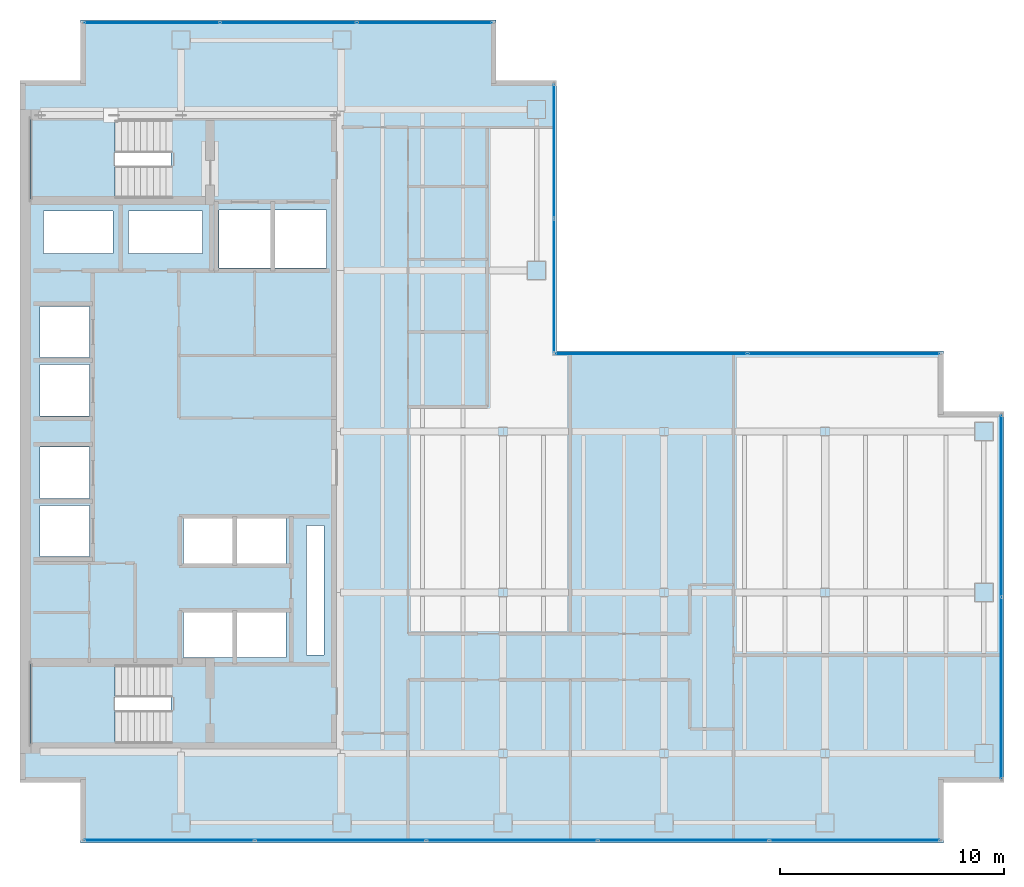
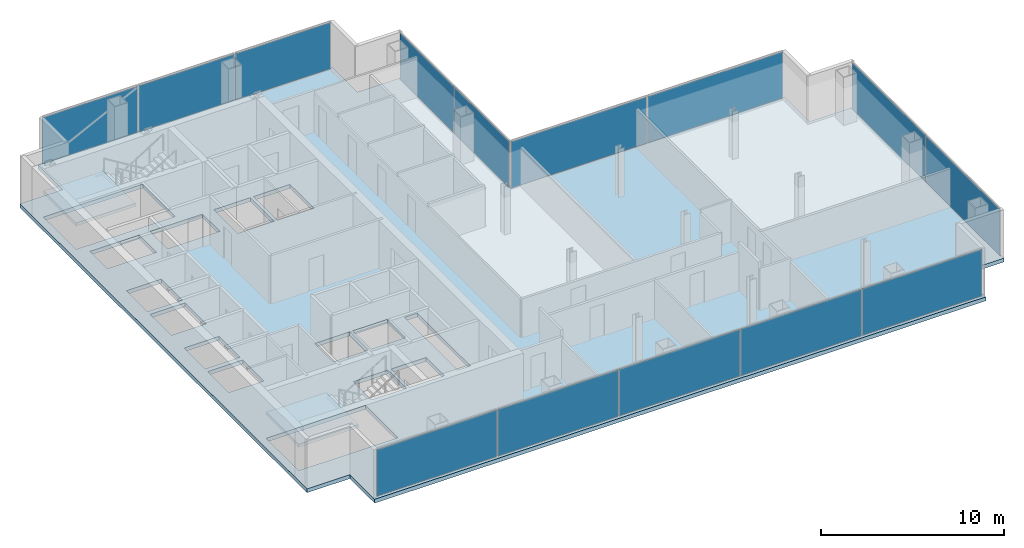
# One storey, part 19 of 23: 14 plates, 3 slabs, 15 openings, 7 elements without a shape of their own.
"""IFC4 building model written with IfcOpenShell, lengths in metres."""

import ifcopenshell
import ifcopenshell.guid

model = None  # the IFC model being written
_history = None  # IfcOwnerHistory: only IFC2X3 demands one
_inside = {}  # id of a spatial element -> (the spatial element, [elements in it])
_under = {}  # id of a project, library or spatial element -> (it, [spatial elements below it])
_declared = {}  # id of a project -> (the project, [libraries it declares])
_typed = {}  # id of a type object -> (the type object, [elements of that type])
_made_of = {}  # id of a material, layer set ... -> (it, [elements and type objects made of it])


def new_model(schema):
    """Start an empty IFC model of exactly this schema.

    Asked for "IFC4X3", IfcOpenShell would pick the latest addendum, in which some entities
    have other attributes; the version numbers below select the first issue.
    IFC2X3 requires an IfcOwnerHistory on every rooted entity: one is made here for all.
    """
    global model, _history
    if schema == "IFC4X3":
        model = ifcopenshell.file(schema_version=(4, 3, 0, 0))
    else:
        model = ifcopenshell.file(schema=schema)
    _inside.clear()
    _under.clear()
    _declared.clear()
    _typed.clear()
    _made_of.clear()
    _history = None
    if model.schema == "IFC2X3":
        org = make("IfcOrganization", Name="unknown")
        user = make(
            "IfcPersonAndOrganization",
            ThePerson=make("IfcPerson", FamilyName="unknown"),
            TheOrganization=org,
        )
        app = make(
            "IfcApplication",
            ApplicationDeveloper=org,
            Version="unknown",
            ApplicationFullName="unknown",
            ApplicationIdentifier="unknown",
        )
        _history = make(
            "IfcOwnerHistory",
            OwningUser=user,
            OwningApplication=app,
            ChangeAction="ADDED",
            CreationDate=0,
        )
    return model


def make(cls, **values):
    """One entity of the class cls with the attributes given. An attribute that is None is left unset."""
    return model.create_entity(
        cls, **{name: value for name, value in values.items() if value is not None}
    )


def rooted(cls, **values):
    """An entity with a GlobalId (a new one), such as an element, a storey or a relation."""
    return make(cls, GlobalId=ifcopenshell.guid.new(), OwnerHistory=_history, **values)


def si_unit(unit_type, name, prefix=None):
    """IfcSIUnit, for example si_unit("LENGTHUNIT", "METRE", prefix="MILLI")."""
    return make("IfcSIUnit", UnitType=unit_type, Prefix=prefix, Name=name)


def assignment(units):
    """IfcUnitAssignment: the units of a project."""
    return None if units is None else make("IfcUnitAssignment", Units=units)


def point(xyz):
    """IfcCartesianPoint."""
    return None if xyz is None else make("IfcCartesianPoint", Coordinates=xyz)


def direction(xyz):
    """IfcDirection."""
    return None if xyz is None else make("IfcDirection", DirectionRatios=xyz)


def frame(location, z_axis=None, x_axis=None):
    """IfcAxis2Placement3D, a coordinate frame: its origin and axes. An axis left out is left unset."""
    return make(
        "IfcAxis2Placement3D",
        Location=point(location),
        Axis=direction(z_axis),
        RefDirection=direction(x_axis),
    )


def frame_2d(location, x_axis=None):
    """IfcAxis2Placement2D, a coordinate frame in the plane: its origin and x axis."""
    return make(
        "IfcAxis2Placement2D", Location=point(location), RefDirection=direction(x_axis)
    )


def origin():
    """The frame at (0, 0, 0) with its axes left unset."""
    return frame((0.0, 0.0, 0.0))


def origin_2d():
    """The frame at (0, 0) in the plane with its x axis left unset."""
    return frame_2d((0.0, 0.0))


def place(relative_to, where):
    """IfcLocalPlacement: puts the frame where relative to a parent placement (None: the world)."""
    return make(
        "IfcLocalPlacement", PlacementRelTo=relative_to, RelativePlacement=where
    )


def context(
    kind, dimensions, precision=None, world=None, true_north=None, identifier=None
):
    """IfcGeometricRepresentationContext, for example the 3D "Model" context."""
    return make(
        "IfcGeometricRepresentationContext",
        ContextIdentifier=identifier,
        ContextType=kind,
        CoordinateSpaceDimension=dimensions,
        Precision=precision,
        WorldCoordinateSystem=world,
        TrueNorth=true_north,
    )


def subcontext(parent, identifier, kind, view, scale=None):
    """IfcGeometricRepresentationSubContext, for example "Body" below "Model"."""
    return make(
        "IfcGeometricRepresentationSubContext",
        ContextIdentifier=identifier,
        ContextType=kind,
        ParentContext=parent,
        TargetScale=scale,
        TargetView=view,
    )


def project(units=None, contexts=None):
    """IfcProject with its units and contexts."""
    return rooted(
        "IfcProject",
        Name="project",
        RepresentationContexts=contexts,
        UnitsInContext=assignment(units),
    )


def spatial(cls, under=None, at=None, **own):
    """A site, building, storey or space (cls), placed at a placement, below another one or the project."""
    s = rooted(cls, ObjectPlacement=at, **own)
    if under is not None:
        _under.setdefault(under.id(), (under, []))[1].append(s)
    return s


def polyline(points):
    """IfcPolyline through the points."""
    return make("IfcPolyline", Points=[point(p) for p in points])


def profile(cls, at=None, kind="AREA", **sizes):
    """A parametric profile (cls). Its sizes go by their IFC names, for example OverallWidth=200.0."""
    return make(cls, ProfileType=kind, Position=at, **sizes)


def rectangle(**sizes):
    """IfcRectangleProfileDef."""
    return profile("IfcRectangleProfileDef", **sizes)


def outline(outer, holes=None, kind="AREA"):
    """IfcArbitraryClosedProfileDef: a profile drawn as a closed curve; with holes, ...WithVoids."""
    if holes is None:
        return make("IfcArbitraryClosedProfileDef", ProfileType=kind, OuterCurve=outer)
    return make(
        "IfcArbitraryProfileDefWithVoids",
        ProfileType=kind,
        OuterCurve=outer,
        InnerCurves=holes,
    )


def extrude(swept, where, along, depth):
    """IfcExtrudedAreaSolid: the profile swept, set in the frame where, extruded along a direction by depth."""
    return make(
        "IfcExtrudedAreaSolid",
        SweptArea=swept,
        Position=where,
        ExtrudedDirection=direction(along),
        Depth=depth,
    )


def shape(context_of_items, identifier, shape_type, items):
    """IfcShapeRepresentation: the items that make up one representation, for example the "Body"."""
    return make(
        "IfcShapeRepresentation",
        ContextOfItems=context_of_items,
        RepresentationIdentifier=identifier,
        RepresentationType=shape_type,
        Items=items,
    )


def material(Name=None, Category=None):
    """IfcMaterial."""
    return make("IfcMaterial", Name=Name, Category=Category)


def layer(
    of_material, thickness, ventilated=None, Name=None, Category=None, Priority=None
):
    """IfcMaterialLayer: one layer of a wall or slab, of a material (None: an air gap)."""
    return make(
        "IfcMaterialLayer",
        Material=of_material,
        LayerThickness=thickness,
        IsVentilated=ventilated,
        Name=Name,
        Category=Category,
        Priority=Priority,
    )


def layer_set(layers, Name=None):
    """IfcMaterialLayerSet."""
    return make("IfcMaterialLayerSet", MaterialLayers=layers, LayerSetName=Name)


def made_of(thing, what):
    """Note that an element or type object is made of a material, layer set ...; save() writes the relation."""
    if what is not None:
        _made_of.setdefault(what.id(), (what, []))[1].append(thing)
    return thing


def type_object(cls, material=None, **own):
    """A type object (cls), such as IfcWallType, which elements share."""
    return made_of(rooted(cls, **own), material)


def element(
    cls,
    number,
    at=None,
    inside=None,
    cuts=None,
    type_object=None,
    material=None,
    context=None,
    identifier="Body",
    shape_type=None,
    held_by="IfcProductDefinitionShape",
    body=None,
    shapes=None,
    **own,
):
    """One element of the class cls, such as IfcWall. Its Tag is "e" and its number.

    at: its placement. inside: the storey or other place that contains it. cuts: it is an
    opening in that element (IfcRelVoidsElement). A single representation is given by context,
    identifier, shape_type and body (its items); several are given by shapes. held_by: the class
    of the entity that holds the representations. save() writes the other relations.
    """
    e = rooted(cls, Tag="e%d" % number, ObjectPlacement=at, **own)
    if body is not None:
        shapes = [shape(context, identifier, shape_type, body)]
    if shapes is not None:
        e.Representation = make(held_by, Representations=shapes)
    if inside is not None:
        _inside.setdefault(inside.id(), (inside, []))[1].append(e)
    if cuts is not None:
        rooted(
            "IfcRelVoidsElement", RelatingBuildingElement=cuts, RelatedOpeningElement=e
        )
    if type_object is not None:
        _typed.setdefault(type_object.id(), (type_object, []))[1].append(e)
    return made_of(e, material)


def aggregate(whole, parts):
    """IfcRelAggregates: a whole, such as a stair, and the parts it consists of."""
    return rooted("IfcRelAggregates", RelatingObject=whole, RelatedObjects=parts)


def save(model, path):
    """Write the relations noted so far, then the file.

    IfcRelAggregates (storeys below a building ...), IfcRelContainedInSpatialStructure (elements
    in a storey), IfcRelDefinesByType, IfcRelAssociatesMaterial and IfcRelDeclares: one each for
    every whole, place, type object, material and project.
    """
    for whole, parts in _under.values():
        aggregate(whole, parts)
    for where, things in _inside.values():
        rooted(
            "IfcRelContainedInSpatialStructure",
            RelatedElements=things,
            RelatingStructure=where,
        )
    for kind, things in _typed.values():
        rooted("IfcRelDefinesByType", RelatedObjects=things, RelatingType=kind)
    for what, things in _made_of.values():
        rooted("IfcRelAssociatesMaterial", RelatedObjects=things, RelatingMaterial=what)
    for by, libraries in _declared.values():
        rooted("IfcRelDeclares", RelatingContext=by, RelatedDefinitions=libraries)
    model.write(path)


model = new_model("IFC4")

# Units and contexts
model_context = context("Model", 3, precision=1e-05, world=origin(), true_north=direction((0.0, 1.0)))
body_context = subcontext(model_context, "Body", "Model", "MODEL_VIEW")
ifc_project = project(units=[si_unit("LENGTHUNIT", "METRE"), si_unit("AREAUNIT", "SQUARE_METRE"), si_unit("VOLUMEUNIT", "CUBIC_METRE"), si_unit("PLANEANGLEUNIT", "RADIAN"), si_unit("MASSUNIT", "GRAM", prefix="KILO")], contexts=[model_context])

# Site, building, storey
site_placement = place(None, origin())
site = spatial("IfcSite", under=ifc_project, at=site_placement, CompositionType="ELEMENT")
building_placement = place(site_placement, origin())
building = spatial("IfcBuilding", under=site, at=building_placement, Name="Cobrela Telecom Tower", CompositionType="ELEMENT")
storey_placement = place(building_placement, frame((0.0, 0.0, 173.25)))
storey = spatial("IfcBuildingStorey", under=building, at=storey_placement, Name="L43", CompositionType="ELEMENT", Elevation=173.25)

# Curtain wall, plates
ifc_material_1 = material(Name="Anodized Bronze Aluminium 6063-T6", Category="aluminium")
curtain_wall_type = type_object("IfcCurtainWallType", Name="CW-SYS-OFF-LO", PredefinedType="USERDEFINED", material=ifc_material_1)
curtain_wall_1_placement = place(storey_placement, origin())
curtain_wall_1 = element("IfcCurtainWall", 1, at=curtain_wall_1_placement, inside=storey, type_object=curtain_wall_type, Name="L43 Unitised Bronze Curtain Wall 07", ObjectType="UNITISED CURTAIN WALL", PredefinedType="USERDEFINED")
ifc_material_2 = material(Name="Solar-Control Bronze Low-E Glass", Category="glass")
ifc_layer_1 = layer(ifc_material_2, 0.031982421875)
ifc_layer_set_1 = layer_set([ifc_layer_1], Name="Solar-Control Bronze Low-E Glass")
plate_type = type_object("IfcPlateType", Name="CW-SYS-OFF-LO-PNL", PredefinedType="CURTAIN_PANEL", material=ifc_layer_set_1)
plate_1_placement = place(storey_placement, frame((5.904052734375, 39.8798828125, 0.070068359375), z_axis=(0.0, 0.0, 1.0), x_axis=(1.0, 0.0, 0.0)))
plate_1 = element("IfcPlate", 2, at=plate_1_placement, type_object=plate_type, Name="CW-OFF-LO panel 1.1", PredefinedType="CURTAIN_PANEL", context=body_context, shape_type="SweptSolid", body=[
    extrude(rectangle(XDim=6.00830078125, YDim=0.031982421875, at=origin_2d()), origin(), (0.0, 0.0, 1.0), 3.10009765625),
])
plate_2_placement = place(storey_placement, frame((12.0, 39.8798828125, 0.070068359375), z_axis=(0.0, 0.0, 1.0), x_axis=(1.0, 0.0, 0.0)))
plate_2 = element("IfcPlate", 3, at=plate_2_placement, type_object=plate_type, Name="CW-OFF-LO panel 2.1", PredefinedType="CURTAIN_PANEL", context=body_context, shape_type="SweptSolid", body=[
    extrude(rectangle(XDim=6.043212890625, YDim=0.031982421875, at=origin_2d()), origin(), (0.0, 0.0, 1.0), 3.10009765625),
])
plate_3_placement = place(storey_placement, frame((18.095947265625, 39.8798828125, 0.070068359375), z_axis=(0.0, 0.0, 1.0), x_axis=(1.0, 0.0, 0.0)))
plate_3 = element("IfcPlate", 4, at=plate_3_placement, type_object=plate_type, Name="CW-OFF-LO panel 3.1", PredefinedType="CURTAIN_PANEL", context=body_context, shape_type="SweptSolid", body=[
    extrude(rectangle(XDim=6.00830078125, YDim=0.031982421875, at=origin_2d()), origin(), (0.0, 0.0, 1.0), 3.10009765625),
])
aggregate(curtain_wall_1, [plate_1, plate_2, plate_3])

curtain_wall_2_placement = place(storey_placement, origin())
curtain_wall_2 = element("IfcCurtainWall", 5, at=curtain_wall_2_placement, inside=storey, type_object=curtain_wall_type, Name="L43 Unitised Bronze Curtain Wall 10", ObjectType="UNITISED CURTAIN WALL", PredefinedType="USERDEFINED")
plate_4_placement = place(storey_placement, frame((23.8798828125, 34.1298828125, 0.070068359375), z_axis=(0.0, 0.0, 1.0), x_axis=(0.0, -1.0, 0.0)))
plate_4 = element("IfcPlate", 6, at=plate_4_placement, type_object=plate_type, Name="CW-OFF-LO panel 1.1", PredefinedType="CURTAIN_PANEL", context=body_context, shape_type="SweptSolid", body=[
    extrude(rectangle(XDim=5.93994140625, YDim=0.031982421875, at=origin_2d()), origin(), (0.0, 0.0, 1.0), 3.10009765625),
])
plate_5_placement = place(storey_placement, frame((23.8798828125, 28.1201171875, 0.070068359375), z_axis=(0.0, 0.0, 1.0), x_axis=(0.0, -1.0, 0.0)))
plate_5 = element("IfcPlate", 7, at=plate_5_placement, type_object=plate_type, Name="CW-OFF-LO panel 2.1", PredefinedType="CURTAIN_PANEL", context=body_context, shape_type="SweptSolid", body=[
    extrude(rectangle(XDim=5.93994140625, YDim=0.031982421875, at=origin_2d()), origin(), (0.0, 0.0, 1.0), 3.10009765625),
])
aggregate(curtain_wall_2, [plate_4, plate_5])

curtain_wall_3_placement = place(storey_placement, origin())
curtain_wall_3 = element("IfcCurtainWall", 8, at=curtain_wall_3_placement, inside=storey, type_object=curtain_wall_type, Name="L43 Unitised Bronze Curtain Wall 11", ObjectType="UNITISED CURTAIN WALL", PredefinedType="USERDEFINED")
plate_6_placement = place(storey_placement, frame((28.219970703125, 25.080078125, 0.070068359375), z_axis=(0.0, 0.0, 1.0), x_axis=(1.0, 0.0, 0.0)))
plate_6 = element("IfcPlate", 9, at=plate_6_placement, type_object=plate_type, Name="CW-OFF-LO panel 1.1", PredefinedType="CURTAIN_PANEL", context=body_context, shape_type="SweptSolid", body=[
    extrude(rectangle(XDim=8.5400390625, YDim=0.031982421875, at=origin_2d()), origin(), (0.0, 0.0, 1.0), 3.10009765625),
])
plate_7_placement = place(storey_placement, frame((36.830078125, 25.080078125, 0.070068359375), z_axis=(0.0, 0.0, 1.0), x_axis=(1.0, 0.0, 0.0)))
plate_7 = element("IfcPlate", 10, at=plate_7_placement, type_object=plate_type, Name="CW-OFF-LO panel 2.1", PredefinedType="CURTAIN_PANEL", context=body_context, shape_type="SweptSolid", body=[
    extrude(rectangle(XDim=8.5400390625, YDim=0.031982421875, at=origin_2d()), origin(), (0.0, 0.0, 1.0), 3.10009765625),
])
aggregate(curtain_wall_3, [plate_6, plate_7])

curtain_wall_4_placement = place(storey_placement, origin())
curtain_wall_4 = element("IfcCurtainWall", 11, at=curtain_wall_4_placement, inside=storey, type_object=curtain_wall_type, Name="L43 Unitised Bronze Curtain Wall 14", ObjectType="UNITISED CURTAIN WALL", PredefinedType="USERDEFINED")
plate_8_placement = place(storey_placement, frame((43.8798828125, 18.267578125, 0.070068359375), z_axis=(0.0, 0.0, 1.0), x_axis=(0.0, -1.0, 0.0)))
plate_8 = element("IfcPlate", 12, at=plate_8_placement, type_object=plate_type, Name="CW-OFF-LO panel 1.1", PredefinedType="CURTAIN_PANEL", context=body_context, shape_type="SweptSolid", body=[
    extrude(rectangle(XDim=8.06494140625, YDim=0.031982421875, at=origin_2d()), origin(), (0.0, 0.0, 1.0), 3.10009765625),
])
plate_9_placement = place(storey_placement, frame((43.8798828125, 10.132568359375, 0.070068359375), z_axis=(0.0, 0.0, 1.0), x_axis=(0.0, -1.0, 0.0)))
plate_9 = element("IfcPlate", 13, at=plate_9_placement, type_object=plate_type, Name="CW-OFF-LO panel 2.1", PredefinedType="CURTAIN_PANEL", context=body_context, shape_type="SweptSolid", body=[
    extrude(rectangle(XDim=8.06494140625, YDim=0.031982421875, at=origin_2d()), origin(), (0.0, 0.0, 1.0), 3.10009765625),
])
aggregate(curtain_wall_4, [plate_8, plate_9])

curtain_wall_5_placement = place(storey_placement, origin())
curtain_wall_5 = element("IfcCurtainWall", 14, at=curtain_wall_5_placement, inside=storey, type_object=curtain_wall_type, Name="L43 Unitised Bronze Curtain Wall 17", ObjectType="UNITISED CURTAIN WALL", PredefinedType="USERDEFINED")
plate_10_placement = place(storey_placement, frame((37.318603515625, 3.320068359375, 0.070068359375), z_axis=(0.0, 0.0, 1.0), x_axis=(-1.0, 0.0, 0.0)))
plate_10 = element("IfcPlate", 15, at=plate_10_placement, type_object=plate_type, Name="CW-OFF-LO panel 1.1", PredefinedType="CURTAIN_PANEL", context=body_context, shape_type="SweptSolid", body=[
    extrude(rectangle(XDim=7.56298828125, YDim=0.031982421875, at=origin_2d()), origin(), (0.0, 0.0, 1.0), 3.10009765625),
])
plate_11_placement = place(storey_placement, frame((29.66796875, 3.320068359375, 0.070068359375), z_axis=(0.0, 0.0, 1.0), x_axis=(-1.0, 0.0, 0.0)))
plate_11 = element("IfcPlate", 16, at=plate_11_placement, type_object=plate_type, Name="CW-OFF-LO panel 2.1", PredefinedType="CURTAIN_PANEL", context=body_context, shape_type="SweptSolid", body=[
    extrude(rectangle(XDim=7.597900390625, YDim=0.031982421875, at=origin_2d()), origin(), (0.0, 0.0, 1.0), 3.10009765625),
])
plate_12_placement = place(storey_placement, frame((22.0, 3.320068359375, 0.070068359375), z_axis=(0.0, 0.0, 1.0), x_axis=(-1.0, 0.0, 0.0)))
plate_12 = element("IfcPlate", 17, at=plate_12_placement, type_object=plate_type, Name="CW-OFF-LO panel 3.1", PredefinedType="CURTAIN_PANEL", context=body_context, shape_type="SweptSolid", body=[
    extrude(rectangle(XDim=7.597900390625, YDim=0.031982421875, at=origin_2d()), origin(), (0.0, 0.0, 1.0), 3.10009765625),
])
plate_13_placement = place(storey_placement, frame((14.33203125, 3.320068359375, 0.070068359375), z_axis=(0.0, 0.0, 1.0), x_axis=(-1.0, 0.0, 0.0)))
plate_13 = element("IfcPlate", 18, at=plate_13_placement, type_object=plate_type, Name="CW-OFF-LO panel 4.1", PredefinedType="CURTAIN_PANEL", context=body_context, shape_type="SweptSolid", body=[
    extrude(rectangle(XDim=7.597900390625, YDim=0.031982421875, at=origin_2d()), origin(), (0.0, 0.0, 1.0), 3.10009765625),
])
plate_14_placement = place(storey_placement, frame((6.681396484375, 3.320068359375, 0.070068359375), z_axis=(0.0, 0.0, 1.0), x_axis=(-1.0, 0.0, 0.0)))
plate_14 = element("IfcPlate", 19, at=plate_14_placement, type_object=plate_type, Name="CW-OFF-LO panel 5.1", PredefinedType="CURTAIN_PANEL", context=body_context, shape_type="SweptSolid", body=[
    extrude(rectangle(XDim=7.56298828125, YDim=0.031982421875, at=origin_2d()), origin(), (0.0, 0.0, 1.0), 3.10009765625),
])
aggregate(curtain_wall_5, [plate_10, plate_11, plate_12, plate_13, plate_14])

# Slab, openings
ifc_material_3 = material(Name="Concrete C40/50", Category="concrete")
ifc_layer_2 = layer(ifc_material_3, 0.260009765625)
ifc_layer_set_2 = layer_set([ifc_layer_2], Name="Concrete C40/50")
slab_type_1 = type_object("IfcSlabType", Name="SLAB-FLR-260", PredefinedType="FLOOR", material=ifc_layer_set_2)
slab_1_placement = place(storey_placement, frame((0.0, 0.0, -0.260009765625)))
slab_1 = element("IfcSlab", 20, at=slab_1_placement, inside=storey, type_object=slab_type_1, Name="L43 Structural Floor Slab", PredefinedType="FLOOR", context=body_context, shape_type="SweptSolid", body=[
    extrude(outline(polyline([(2.7099609375, 3.199951171875), (41.2900390625, 3.199951171875), (41.2900390625, 5.909912109375), (44.0, 5.909912109375), (44.0, 22.489990234375), (41.2900390625, 22.489990234375), (41.2900390625, 25.199951171875), (24.0, 25.199951171875), (24.0, 37.2900390625), (21.2900390625, 37.2900390625), (21.2900390625, 40.0), (2.7099609375, 40.0), (2.7099609375, 37.2900390625), (0.0, 37.2900390625), (0.0, 5.909912109375), (2.7099609375, 5.909912109375), (2.7099609375, 3.199951171875)])), origin(), (0.0, 0.0, 1.0), 0.260009765625),
])
opening_1_placement = place(slab_1_placement, frame((0.0, 0.0, -0.02001953125)))
element("IfcOpeningElement", 21, at=opening_1_placement, cuts=slab_1, Name="Slab Shaft Opening SLAB-L43-MAIN.1", PredefinedType="OPENING", context=body_context, shape_type="SweptSolid", body=[
    extrude(outline(polyline([(8.89990234375, 28.89990234375), (11.199951171875, 28.89990234375), (11.199951171875, 31.5), (8.89990234375, 31.5), (8.89990234375, 28.89990234375)])), origin(), (0.0, 0.0, 1.0), 0.300048828125),
])
opening_2_placement = place(slab_1_placement, frame((0.0, 0.0, -0.02001953125)))
element("IfcOpeningElement", 22, at=opening_2_placement, cuts=slab_1, Name="Slab Shaft Opening SLAB-L43-MAIN.2", PredefinedType="OPENING", context=body_context, shape_type="SweptSolid", body=[
    extrude(outline(polyline([(11.39990234375, 28.89990234375), (13.699951171875, 28.89990234375), (13.699951171875, 31.5), (11.39990234375, 31.5), (11.39990234375, 28.89990234375)])), origin(), (0.0, 0.0, 1.0), 0.300048828125),
])
opening_3_placement = place(slab_1_placement, frame((0.0, 0.0, -0.02001953125)))
element("IfcOpeningElement", 23, at=opening_3_placement, cuts=slab_1, Name="Slab Shaft Opening SLAB-L43-MAIN.3", PredefinedType="OPENING", context=body_context, shape_type="SweptSolid", body=[
    extrude(outline(polyline([(7.300048828125, 15.699951171875), (9.5, 15.699951171875), (9.5, 17.699951171875), (7.300048828125, 17.699951171875), (7.300048828125, 15.699951171875)])), origin(), (0.0, 0.0, 1.0), 0.300048828125),
])
opening_4_placement = place(slab_1_placement, frame((0.0, 0.0, -0.02001953125)))
element("IfcOpeningElement", 24, at=opening_4_placement, cuts=slab_1, Name="Slab Shaft Opening SLAB-L43-MAIN.4", PredefinedType="OPENING", context=body_context, shape_type="SweptSolid", body=[
    extrude(outline(polyline([(9.699951171875, 15.699951171875), (11.89990234375, 15.699951171875), (11.89990234375, 17.699951171875), (9.699951171875, 17.699951171875), (9.699951171875, 15.699951171875)])), origin(), (0.0, 0.0, 1.0), 0.300048828125),
])
opening_5_placement = place(slab_1_placement, frame((0.0, 0.0, -0.02001953125)))
element("IfcOpeningElement", 25, at=opening_5_placement, cuts=slab_1, Name="Slab Shaft Opening SLAB-L43-MAIN.5", PredefinedType="OPENING", context=body_context, shape_type="SweptSolid", body=[
    extrude(outline(polyline([(7.300048828125, 11.5), (9.5, 11.5), (9.5, 13.5), (7.300048828125, 13.5), (7.300048828125, 11.5)])), origin(), (0.0, 0.0, 1.0), 0.300048828125),
])
opening_6_placement = place(slab_1_placement, frame((0.0, 0.0, -0.02001953125)))
element("IfcOpeningElement", 26, at=opening_6_placement, cuts=slab_1, Name="Slab Shaft Opening SLAB-L43-MAIN.6", PredefinedType="OPENING", context=body_context, shape_type="SweptSolid", body=[
    extrude(outline(polyline([(9.699951171875, 11.5), (11.89990234375, 11.5), (11.89990234375, 13.5), (9.699951171875, 13.5), (9.699951171875, 11.5)])), origin(), (0.0, 0.0, 1.0), 0.300048828125),
])
opening_7_placement = place(slab_1_placement, frame((0.0, 0.0, -0.02001953125)))
element("IfcOpeningElement", 27, at=opening_7_placement, cuts=slab_1, Name="Slab Shaft Opening SLAB-L43-MAIN.7", PredefinedType="OPENING", context=body_context, shape_type="SweptSolid", body=[
    extrude(outline(polyline([(0.89990234375, 16.0), (3.10009765625, 16.0), (3.10009765625, 18.300048828125), (0.89990234375, 18.300048828125), (0.89990234375, 16.0)])), origin(), (0.0, 0.0, 1.0), 0.300048828125),
])
opening_8_placement = place(slab_1_placement, frame((0.0, 0.0, -0.02001953125)))
element("IfcOpeningElement", 28, at=opening_8_placement, cuts=slab_1, Name="Slab Shaft Opening SLAB-L43-MAIN.8", PredefinedType="OPENING", context=body_context, shape_type="SweptSolid", body=[
    extrude(outline(polyline([(0.89990234375, 18.60009765625), (3.10009765625, 18.60009765625), (3.10009765625, 20.89990234375), (0.89990234375, 20.89990234375), (0.89990234375, 18.60009765625)])), origin(), (0.0, 0.0, 1.0), 0.300048828125),
])
opening_9_placement = place(slab_1_placement, frame((0.0, 0.0, -0.02001953125)))
element("IfcOpeningElement", 29, at=opening_9_placement, cuts=slab_1, Name="Slab Shaft Opening SLAB-L43-MAIN.9", PredefinedType="OPENING", context=body_context, shape_type="SweptSolid", body=[
    extrude(outline(polyline([(0.89990234375, 22.300048828125), (3.10009765625, 22.300048828125), (3.10009765625, 24.60009765625), (0.89990234375, 24.60009765625), (0.89990234375, 22.300048828125)])), origin(), (0.0, 0.0, 1.0), 0.300048828125),
])
opening_10_placement = place(slab_1_placement, frame((0.0, 0.0, -0.02001953125)))
element("IfcOpeningElement", 30, at=opening_10_placement, cuts=slab_1, Name="Slab Shaft Opening SLAB-L43-MAIN.10", PredefinedType="OPENING", context=body_context, shape_type="SweptSolid", body=[
    extrude(outline(polyline([(0.89990234375, 24.89990234375), (3.10009765625, 24.89990234375), (3.10009765625, 27.199951171875), (0.89990234375, 27.199951171875), (0.89990234375, 24.89990234375)])), origin(), (0.0, 0.0, 1.0), 0.300048828125),
])
opening_11_placement = place(slab_1_placement, frame((0.0, 0.0, -0.02001953125)))
element("IfcOpeningElement", 31, at=opening_11_placement, cuts=slab_1, Name="Slab Shaft Opening SLAB-L43-MAIN.11", PredefinedType="OPENING", context=body_context, shape_type="SweptSolid", body=[
    extrude(outline(polyline([(1.050048828125, 29.550048828125), (4.14990234375, 29.550048828125), (4.14990234375, 31.449951171875), (1.050048828125, 31.449951171875), (1.050048828125, 29.550048828125)])), origin(), (0.0, 0.0, 1.0), 0.300048828125),
])
opening_12_placement = place(slab_1_placement, frame((0.0, 0.0, -0.02001953125)))
element("IfcOpeningElement", 32, at=opening_12_placement, cuts=slab_1, Name="Slab Shaft Opening SLAB-L43-MAIN.12", PredefinedType="OPENING", context=body_context, shape_type="SweptSolid", body=[
    extrude(outline(polyline([(4.85009765625, 29.550048828125), (8.14990234375, 29.550048828125), (8.14990234375, 31.449951171875), (4.85009765625, 31.449951171875), (4.85009765625, 29.550048828125)])), origin(), (0.0, 0.0, 1.0), 0.300048828125),
])
opening_13_placement = place(slab_1_placement, frame((0.0, 0.0, -0.02001953125)))
element("IfcOpeningElement", 33, at=opening_13_placement, cuts=slab_1, Name="Slab Shaft Opening SLAB-L43-MAIN.13", PredefinedType="OPENING", context=body_context, shape_type="SweptSolid", body=[
    extrude(outline(polyline([(12.800048828125, 11.60009765625), (13.60009765625, 11.60009765625), (13.60009765625, 17.39990234375), (12.800048828125, 17.39990234375), (12.800048828125, 11.60009765625)])), origin(), (0.0, 0.0, 1.0), 0.300048828125),
])
opening_14_placement = place(slab_1_placement, frame((0.0, 0.0, -0.02001953125)))
element("IfcOpeningElement", 34, at=opening_14_placement, cuts=slab_1, Name="Slab Shaft Opening SLAB-L43-MAIN.14", PredefinedType="OPENING", context=body_context, shape_type="SweptSolid", body=[
    extrude(outline(polyline([(6.7548828125, 35.550048828125), (0.47998046875, 35.550048828125), (0.47998046875, 32.0), (6.7548828125, 32.0), (6.7548828125, 35.550048828125)])), origin(), (0.0, 0.0, 1.0), 0.300048828125),
])
opening_15_placement = place(slab_1_placement, frame((0.0, 0.0, -0.02001953125)))
element("IfcOpeningElement", 35, at=opening_15_placement, cuts=slab_1, Name="Slab Shaft Opening SLAB-L43-MAIN.15", PredefinedType="OPENING", context=body_context, shape_type="SweptSolid", body=[
    extrude(outline(polyline([(6.7548828125, 11.199951171875), (0.47998046875, 11.199951171875), (0.47998046875, 7.64990234375), (6.7548828125, 7.64990234375), (6.7548828125, 11.199951171875)])), origin(), (0.0, 0.0, 1.0), 0.300048828125),
])

# Stair, slab
stair_type = type_object("IfcStairType", Name="STAIR-CORE", PredefinedType="HALF_TURN_STAIR", material=ifc_material_3)
stair_1_placement = place(storey_placement, origin())
stair_1 = element("IfcStair", 36, at=stair_1_placement, inside=storey, type_object=stair_type, Name="L43 Smokeproof Exit Stair ST1", PredefinedType="HALF_TURN_STAIR")
ifc_layer_3 = layer(ifc_material_3, 0.199951171875)
ifc_layer_set_3 = layer_set([ifc_layer_3], Name="Concrete C40/50")
slab_type_2 = type_object("IfcSlabType", Name="SLAB-LAND-200", PredefinedType="LANDING", material=ifc_layer_set_3)
slab_2_placement = place(storey_placement, frame((0.0, 0.0, 1.550048828125)))
slab_2 = element("IfcSlab", 37, at=slab_2_placement, type_object=slab_type_2, Name="ST1 landing 1", PredefinedType="LANDING", context=body_context, shape_type="SweptSolid", body=[
    extrude(outline(polyline([(4.2548828125, 35.550048828125), (0.47998046875, 35.550048828125), (0.47998046875, 32.0), (4.2548828125, 32.0), (4.2548828125, 35.550048828125)])), origin(), (0.0, 0.0, 1.0), 0.199951171875),
])
aggregate(stair_1, [slab_2])

stair_2_placement = place(storey_placement, origin())
stair_2 = element("IfcStair", 38, at=stair_2_placement, inside=storey, type_object=stair_type, Name="L43 Smokeproof Exit Stair ST2", PredefinedType="HALF_TURN_STAIR")
slab_3_placement = place(storey_placement, frame((0.0, 0.0, 1.550048828125)))
slab_3 = element("IfcSlab", 39, at=slab_3_placement, type_object=slab_type_2, Name="ST2 landing 1", PredefinedType="LANDING", context=body_context, shape_type="SweptSolid", body=[
    extrude(outline(polyline([(4.2548828125, 11.199951171875), (0.47998046875, 11.199951171875), (0.47998046875, 7.64990234375), (4.2548828125, 7.64990234375), (4.2548828125, 11.199951171875)])), origin(), (0.0, 0.0, 1.0), 0.199951171875),
])
aggregate(stair_2, [slab_3])

save(model, "model.ifc")
